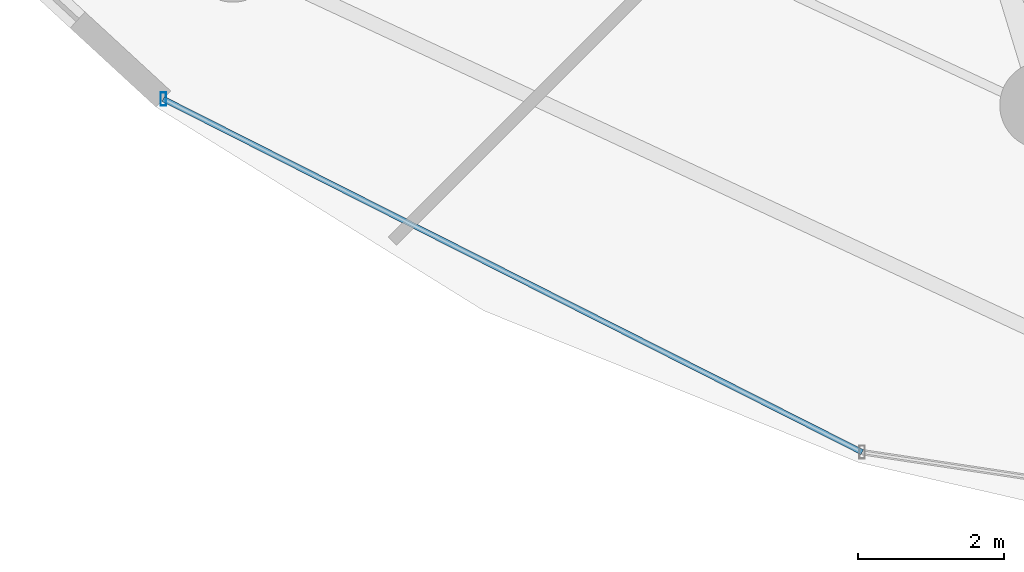
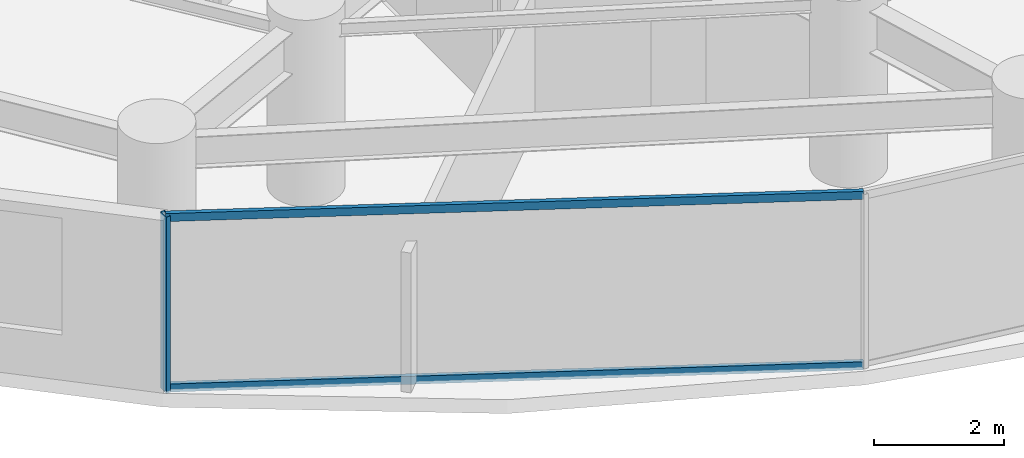
# One storey, part 2 of 35: 3 members, 1 element without a shape of its own.
"""IFC4 building model written with IfcOpenShell, lengths in metres."""

import ifcopenshell
import ifcopenshell.guid

model = None  # the IFC model being written
_history = None  # IfcOwnerHistory: only IFC2X3 demands one
_inside = {}  # id of a spatial element -> (the spatial element, [elements in it])
_under = {}  # id of a project, library or spatial element -> (it, [spatial elements below it])
_declared = {}  # id of a project -> (the project, [libraries it declares])
_typed = {}  # id of a type object -> (the type object, [elements of that type])
_made_of = {}  # id of a material, layer set ... -> (it, [elements and type objects made of it])


def new_model(schema):
    """Start an empty IFC model of exactly this schema.

    Asked for "IFC4X3", IfcOpenShell would pick the latest addendum, in which some entities
    have other attributes; the version numbers below select the first issue.
    IFC2X3 requires an IfcOwnerHistory on every rooted entity: one is made here for all.
    """
    global model, _history
    if schema == "IFC4X3":
        model = ifcopenshell.file(schema_version=(4, 3, 0, 0))
    else:
        model = ifcopenshell.file(schema=schema)
    _inside.clear()
    _under.clear()
    _declared.clear()
    _typed.clear()
    _made_of.clear()
    _history = None
    if model.schema == "IFC2X3":
        org = make("IfcOrganization", Name="unknown")
        user = make(
            "IfcPersonAndOrganization",
            ThePerson=make("IfcPerson", FamilyName="unknown"),
            TheOrganization=org,
        )
        app = make(
            "IfcApplication",
            ApplicationDeveloper=org,
            Version="unknown",
            ApplicationFullName="unknown",
            ApplicationIdentifier="unknown",
        )
        _history = make(
            "IfcOwnerHistory",
            OwningUser=user,
            OwningApplication=app,
            ChangeAction="ADDED",
            CreationDate=0,
        )
    return model


def make(cls, **values):
    """One entity of the class cls with the attributes given. An attribute that is None is left unset."""
    return model.create_entity(
        cls, **{name: value for name, value in values.items() if value is not None}
    )


def rooted(cls, **values):
    """An entity with a GlobalId (a new one), such as an element, a storey or a relation."""
    return make(cls, GlobalId=ifcopenshell.guid.new(), OwnerHistory=_history, **values)


def si_unit(unit_type, name, prefix=None):
    """IfcSIUnit, for example si_unit("LENGTHUNIT", "METRE", prefix="MILLI")."""
    return make("IfcSIUnit", UnitType=unit_type, Prefix=prefix, Name=name)


def assignment(units):
    """IfcUnitAssignment: the units of a project."""
    return None if units is None else make("IfcUnitAssignment", Units=units)


def point(xyz):
    """IfcCartesianPoint."""
    return None if xyz is None else make("IfcCartesianPoint", Coordinates=xyz)


def direction(xyz):
    """IfcDirection."""
    return None if xyz is None else make("IfcDirection", DirectionRatios=xyz)


def frame(location, z_axis=None, x_axis=None):
    """IfcAxis2Placement3D, a coordinate frame: its origin and axes. An axis left out is left unset."""
    return make(
        "IfcAxis2Placement3D",
        Location=point(location),
        Axis=direction(z_axis),
        RefDirection=direction(x_axis),
    )


def frame_2d(location, x_axis=None):
    """IfcAxis2Placement2D, a coordinate frame in the plane: its origin and x axis."""
    return make(
        "IfcAxis2Placement2D", Location=point(location), RefDirection=direction(x_axis)
    )


def origin():
    """The frame at (0, 0, 0) with its axes left unset."""
    return frame((0.0, 0.0, 0.0))


def origin_2d():
    """The frame at (0, 0) in the plane with its x axis left unset."""
    return frame_2d((0.0, 0.0))


def place(relative_to, where):
    """IfcLocalPlacement: puts the frame where relative to a parent placement (None: the world)."""
    return make(
        "IfcLocalPlacement", PlacementRelTo=relative_to, RelativePlacement=where
    )


def context(
    kind, dimensions, precision=None, world=None, true_north=None, identifier=None
):
    """IfcGeometricRepresentationContext, for example the 3D "Model" context."""
    return make(
        "IfcGeometricRepresentationContext",
        ContextIdentifier=identifier,
        ContextType=kind,
        CoordinateSpaceDimension=dimensions,
        Precision=precision,
        WorldCoordinateSystem=world,
        TrueNorth=true_north,
    )


def subcontext(parent, identifier, kind, view, scale=None):
    """IfcGeometricRepresentationSubContext, for example "Body" below "Model"."""
    return make(
        "IfcGeometricRepresentationSubContext",
        ContextIdentifier=identifier,
        ContextType=kind,
        ParentContext=parent,
        TargetScale=scale,
        TargetView=view,
    )


def project(units=None, contexts=None):
    """IfcProject with its units and contexts."""
    return rooted(
        "IfcProject",
        Name="project",
        RepresentationContexts=contexts,
        UnitsInContext=assignment(units),
    )


def spatial(cls, under=None, at=None, **own):
    """A site, building, storey or space (cls), placed at a placement, below another one or the project."""
    s = rooted(cls, ObjectPlacement=at, **own)
    if under is not None:
        _under.setdefault(under.id(), (under, []))[1].append(s)
    return s


def profile(cls, at=None, kind="AREA", **sizes):
    """A parametric profile (cls). Its sizes go by their IFC names, for example OverallWidth=200.0."""
    return make(cls, ProfileType=kind, Position=at, **sizes)


def hollow_rectangle(**sizes):
    """IfcRectangleHollowProfileDef."""
    return profile("IfcRectangleHollowProfileDef", **sizes)


def extrude(swept, where, along, depth):
    """IfcExtrudedAreaSolid: the profile swept, set in the frame where, extruded along a direction by depth."""
    return make(
        "IfcExtrudedAreaSolid",
        SweptArea=swept,
        Position=where,
        ExtrudedDirection=direction(along),
        Depth=depth,
    )


def shape(context_of_items, identifier, shape_type, items):
    """IfcShapeRepresentation: the items that make up one representation, for example the "Body"."""
    return make(
        "IfcShapeRepresentation",
        ContextOfItems=context_of_items,
        RepresentationIdentifier=identifier,
        RepresentationType=shape_type,
        Items=items,
    )


def material(Name=None, Category=None):
    """IfcMaterial."""
    return make("IfcMaterial", Name=Name, Category=Category)


def material_profile(
    of_material, cross_section, Name=None, Category=None, Priority=None
):
    """IfcMaterialProfile: a cross section and its material."""
    return make(
        "IfcMaterialProfile",
        Name=Name,
        Material=of_material,
        Profile=cross_section,
        Priority=Priority,
        Category=Category,
    )


def profile_set(profiles, Name=None, composite=None):
    """IfcMaterialProfileSet."""
    return make(
        "IfcMaterialProfileSet",
        Name=Name,
        MaterialProfiles=profiles,
        CompositeProfile=composite,
    )


def made_of(thing, what):
    """Note that an element or type object is made of a material, layer set ...; save() writes the relation."""
    if what is not None:
        _made_of.setdefault(what.id(), (what, []))[1].append(thing)
    return thing


def type_object(cls, material=None, **own):
    """A type object (cls), such as IfcWallType, which elements share."""
    return made_of(rooted(cls, **own), material)


def element(
    cls,
    number,
    at=None,
    inside=None,
    cuts=None,
    type_object=None,
    material=None,
    context=None,
    identifier="Body",
    shape_type=None,
    held_by="IfcProductDefinitionShape",
    body=None,
    shapes=None,
    **own,
):
    """One element of the class cls, such as IfcWall. Its Tag is "e" and its number.

    at: its placement. inside: the storey or other place that contains it. cuts: it is an
    opening in that element (IfcRelVoidsElement). A single representation is given by context,
    identifier, shape_type and body (its items); several are given by shapes. held_by: the class
    of the entity that holds the representations. save() writes the other relations.
    """
    e = rooted(cls, Tag="e%d" % number, ObjectPlacement=at, **own)
    if body is not None:
        shapes = [shape(context, identifier, shape_type, body)]
    if shapes is not None:
        e.Representation = make(held_by, Representations=shapes)
    if inside is not None:
        _inside.setdefault(inside.id(), (inside, []))[1].append(e)
    if cuts is not None:
        rooted(
            "IfcRelVoidsElement", RelatingBuildingElement=cuts, RelatedOpeningElement=e
        )
    if type_object is not None:
        _typed.setdefault(type_object.id(), (type_object, []))[1].append(e)
    return made_of(e, material)


def aggregate(whole, parts):
    """IfcRelAggregates: a whole, such as a stair, and the parts it consists of."""
    return rooted("IfcRelAggregates", RelatingObject=whole, RelatedObjects=parts)


def save(model, path):
    """Write the relations noted so far, then the file.

    IfcRelAggregates (storeys below a building ...), IfcRelContainedInSpatialStructure (elements
    in a storey), IfcRelDefinesByType, IfcRelAssociatesMaterial and IfcRelDeclares: one each for
    every whole, place, type object, material and project.
    """
    for whole, parts in _under.values():
        aggregate(whole, parts)
    for where, things in _inside.values():
        rooted(
            "IfcRelContainedInSpatialStructure",
            RelatedElements=things,
            RelatingStructure=where,
        )
    for kind, things in _typed.values():
        rooted("IfcRelDefinesByType", RelatedObjects=things, RelatingType=kind)
    for what, things in _made_of.values():
        rooted("IfcRelAssociatesMaterial", RelatedObjects=things, RelatingMaterial=what)
    for by, libraries in _declared.values():
        rooted("IfcRelDeclares", RelatingContext=by, RelatedDefinitions=libraries)
    model.write(path)


model = new_model("IFC4")

# Units and contexts
model_context = context("Model", 3, precision=1e-05, world=origin(), true_north=direction((0.0, 1.0)))
body_context = subcontext(model_context, "Body", "Model", "MODEL_VIEW")
ifc_project = project(units=[si_unit("LENGTHUNIT", "METRE"), si_unit("AREAUNIT", "SQUARE_METRE"), si_unit("VOLUMEUNIT", "CUBIC_METRE"), si_unit("PLANEANGLEUNIT", "RADIAN"), si_unit("MASSUNIT", "GRAM", prefix="KILO")], contexts=[model_context])

# Site, building, storey
site_placement = place(None, origin())
site = spatial("IfcSite", under=ifc_project, at=site_placement, CompositionType="ELEMENT")
building_placement = place(site_placement, origin())
building = spatial("IfcBuilding", under=site, at=building_placement, Name="Vorneva Point Tower", CompositionType="ELEMENT")
storey_placement = place(building_placement, frame((0.0, 0.0, 52.0)))
storey = spatial("IfcBuildingStorey", under=building, at=storey_placement, Name="L13", CompositionType="ELEMENT", Elevation=52.0)

# Curtain wall, members
ifc_material = material(Name="Pale anodised aluminium", Category="aluminium")
curtain_wall_type = type_object("IfcCurtainWallType", Name="CW-HTL-SYS", PredefinedType="NOTDEFINED", material=ifc_material)
curtain_wall_placement = place(storey_placement, origin())
curtain_wall = element("IfcCurtainWall", 1, at=curtain_wall_placement, inside=storey, type_object=curtain_wall_type, Name="L13 Unitised Curtain Wall CW-L13-R04", PredefinedType="NOTDEFINED")
ifc_material_profile_1 = material_profile(ifc_material, hollow_rectangle(XDim=0.074951171875, YDim=0.179931640625, WallThickness=0.00390625, at=origin_2d()), Name="AL-MUL 180x75x4")
ifc_profile_set_1 = profile_set([ifc_material_profile_1], Name="Pale anodised aluminium")
member_type_1 = type_object("IfcMemberType", Name="CW-MUL-180", PredefinedType="MULLION", material=ifc_profile_set_1)
member_1_placement = place(storey_placement, frame((17.10498046875, 10.1962890625, -0.0400390625), z_axis=(0.0, 0.0, 1.0), x_axis=(1.0, 0.0, 0.0)))
member_1 = element("IfcMember", 2, at=member_1_placement, type_object=member_type_1, Name="CW-L13-R04 Mullion 01", PredefinedType="MULLION", context=body_context, shape_type="SweptSolid", body=[
    extrude(hollow_rectangle(XDim=0.074951171875, YDim=0.179931640625, WallThickness=0.00390625, at=origin_2d()), origin(), (0.0, 0.0, 1.0), 3.31005859375),
])
ifc_material_profile_2 = material_profile(ifc_material, hollow_rectangle(XDim=0.074951171875, YDim=0.14990234375, WallThickness=0.00390625, at=origin_2d()), Name="AL-TRN 150x75x4")
ifc_profile_set_2 = profile_set([ifc_material_profile_2], Name="Pale anodised aluminium")
member_type_2 = type_object("IfcMemberType", Name="CW-TRN-150", PredefinedType="USERDEFINED", material=ifc_profile_set_2)
member_2_placement = place(storey_placement, frame((17.10498046875, 10.1962890625, 0.02001953125), z_axis=(0.892496057621, -0.451055192999, 0.0), x_axis=(0.451055192999, 0.892496057621, 0.0)))
member_2 = element("IfcMember", 3, at=member_2_placement, type_object=member_type_2, Name="CW-L13-R04 Transom 01.1", ObjectType="TRANSOM", PredefinedType="USERDEFINED", context=body_context, shape_type="SweptSolid", body=[
    extrude(hollow_rectangle(XDim=0.074951171875, YDim=0.14990234375, WallThickness=0.00390625, at=origin_2d()), origin(), (0.0, 0.0, 1.0), 10.741455078125),
])
member_3_placement = place(storey_placement, frame((17.10498046875, 10.1962890625, 3.219970703125), z_axis=(0.892496057621, -0.451055192999, 0.0), x_axis=(0.451055192999, 0.892496057621, 0.0)))
member_3 = element("IfcMember", 4, at=member_3_placement, type_object=member_type_2, Name="CW-L13-R04 Transom 01.2", ObjectType="TRANSOM", PredefinedType="USERDEFINED", context=body_context, shape_type="SweptSolid", body=[
    extrude(hollow_rectangle(XDim=0.074951171875, YDim=0.14990234375, WallThickness=0.00390625, at=origin_2d()), origin(), (0.0, 0.0, 1.0), 10.741455078125),
])
aggregate(curtain_wall, [member_1, member_2, member_3])

save(model, "model.ifc")
